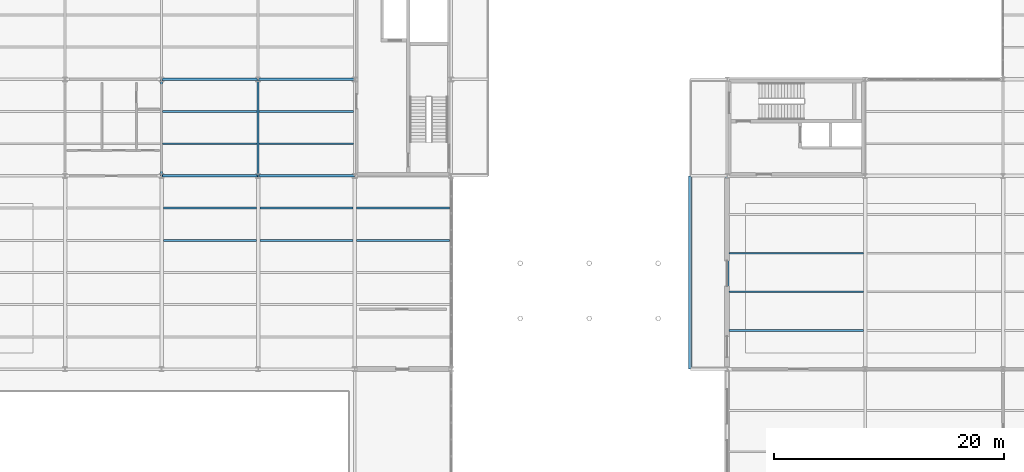
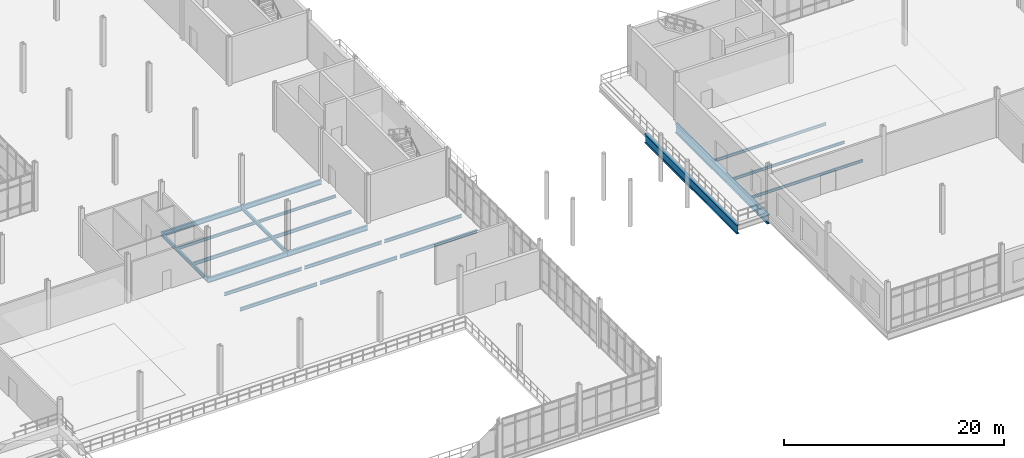
# One storey, part 42 of 111: 21 beams.
"""IFC4 building model written with IfcOpenShell, lengths in metres."""

from ifc_helpers import new_model, si_unit, direction, frame, origin, origin_2d, place, context, subcontext, project, spatial, i_section, extrude, material, material_profile, profile_set, type_object, element, save


model = new_model("IFC4")

# Units and contexts
model_context = context("Model", 3, precision=1e-05, world=origin(), true_north=direction((0.0, 1.0)))
body_context = subcontext(model_context, "Body", "Model", "MODEL_VIEW")
ifc_project = project(units=[si_unit("LENGTHUNIT", "METRE"), si_unit("AREAUNIT", "SQUARE_METRE"), si_unit("VOLUMEUNIT", "CUBIC_METRE"), si_unit("PLANEANGLEUNIT", "RADIAN"), si_unit("MASSUNIT", "GRAM", prefix="KILO"), si_unit("THERMODYNAMICTEMPERATUREUNIT", "KELVIN"), si_unit("POWERUNIT", "WATT")], contexts=[model_context])

# Site, building, storey
site_placement = place(None, origin())
site = spatial("IfcSite", under=ifc_project, at=site_placement, CompositionType="ELEMENT")
building_placement = place(site_placement, origin())
building = spatial("IfcBuilding", under=site, at=building_placement, Name="Tembeka Court Mobility Hub", CompositionType="ELEMENT")
storey_placement = place(building_placement, origin())
storey = spatial("IfcBuildingStorey", under=building, at=storey_placement, Name="L00", CompositionType="ELEMENT", Elevation=0.0)

# Beams
ifc_material = material(Name="Steel S355", Category="steel")
ifc_material_profile_1 = material_profile(ifc_material, i_section(OverallWidth=0.177978515625, OverallDepth=0.406005859375, WebThickness=0.0078125, FlangeThickness=0.0126953125, FilletRadius=0.01025390625, at=origin_2d()), Name="UKB 406x178x60")
ifc_profile_set_1 = profile_set([ifc_material_profile_1], Name="Steel S355")
beam_type_1 = type_object("IfcBeamType", Name="BM-B02", PredefinedType="BEAM", material=ifc_profile_set_1)
for number, where, z_axis, x_axis, name in (
    (1, (67.199951171875, 38.39990234375, -0.48291015625), (0.0, 1.0, 0.0), (-1.0, 0.0, 0.0), "Beam B02 (BM-L00-Y0234)"),
    (2, (75.60009765625, 38.39990234375, -0.48291015625), (0.0, 1.0, 0.0), (-1.0, 0.0, 0.0), "Beam B02 (BM-L00-Y0241)"),
):
    element("IfcBeam", number, at=place(storey_placement, frame(where, z_axis=z_axis, x_axis=x_axis)), inside=storey, type_object=beam_type_1, Name=name, PredefinedType="BEAM", context=body_context, shape_type="SweptSolid", body=[
        extrude(i_section(OverallWidth=0.177978515625, OverallDepth=0.406005859375, WebThickness=0.0078125, FlangeThickness=0.0126953125, FilletRadius=0.01025390625, at=origin_2d()), origin(), (0.0, 0.0, 1.0), 8.400146484375),
    ])
ifc_material_profile_2 = material_profile(ifc_material, i_section(OverallWidth=0.2099609375, OverallDepth=0.537109375, WebThickness=0.0107421875, FlangeThickness=0.017333984375, FilletRadius=0.0126953125, at=origin_2d()), Name="UKB 533x210x101")
ifc_profile_set_2 = profile_set([ifc_material_profile_2], Name="Steel S355")
beam_type_2 = type_object("IfcBeamType", Name="BM-G03", PredefinedType="USERDEFINED", material=ifc_profile_set_2)
beam_1_placement = place(storey_placement, frame((67.199951171875, 38.39990234375, -0.548583984375), z_axis=(1.0, 0.0, 0.0), x_axis=(0.0, 1.0, 0.0)))
element("IfcBeam", 3, at=beam_1_placement, inside=storey, type_object=beam_type_2, Name="Beam G03 (BM-L00-X0049)", ObjectType="GIRDER", PredefinedType="USERDEFINED", context=body_context, shape_type="SweptSolid", body=[
    extrude(i_section(OverallWidth=0.2099609375, OverallDepth=0.537109375, WebThickness=0.0107421875, FlangeThickness=0.017333984375, FilletRadius=0.0126953125, at=origin_2d()), origin(), (0.0, 0.0, 1.0), 8.400146484375),
])
beam_2_placement = place(storey_placement, frame((75.60009765625, 38.39990234375, -0.548583984375), z_axis=(1.0, 0.0, 0.0), x_axis=(0.0, 1.0, 0.0)))
element("IfcBeam", 4, at=beam_2_placement, inside=storey, type_object=beam_type_2, Name="Beam G03 (BM-L00-X0050)", ObjectType="GIRDER", PredefinedType="USERDEFINED", context=body_context, shape_type="SweptSolid", body=[
    extrude(i_section(OverallWidth=0.2099609375, OverallDepth=0.537109375, WebThickness=0.0107421875, FlangeThickness=0.017333984375, FilletRadius=0.0126953125, at=origin_2d()), origin(), (0.0, 0.0, 1.0), 8.39990234375),
])
beam_3_placement = place(storey_placement, frame((67.199951171875, 46.800048828125, -0.548583984375), z_axis=(1.0, 0.0, 0.0), x_axis=(0.0, 1.0, 0.0)))
element("IfcBeam", 5, at=beam_3_placement, inside=storey, type_object=beam_type_2, Name="Beam G03 (BM-L00-X0066)", ObjectType="GIRDER", PredefinedType="USERDEFINED", context=body_context, shape_type="SweptSolid", body=[
    extrude(i_section(OverallWidth=0.2099609375, OverallDepth=0.537109375, WebThickness=0.0107421875, FlangeThickness=0.017333984375, FilletRadius=0.0126953125, at=origin_2d()), origin(), (0.0, 0.0, 1.0), 8.400146484375),
])
beam_4_placement = place(storey_placement, frame((75.60009765625, 46.800048828125, -0.548583984375), z_axis=(1.0, 0.0, 0.0), x_axis=(0.0, 1.0, 0.0)))
element("IfcBeam", 6, at=beam_4_placement, inside=storey, type_object=beam_type_2, Name="Beam G03 (BM-L00-X0067)", ObjectType="GIRDER", PredefinedType="USERDEFINED", context=body_context, shape_type="SweptSolid", body=[
    extrude(i_section(OverallWidth=0.2099609375, OverallDepth=0.537109375, WebThickness=0.0107421875, FlangeThickness=0.017333984375, FilletRadius=0.0126953125, at=origin_2d()), origin(), (0.0, 0.0, 1.0), 8.39990234375),
])
ifc_material_profile_3 = material_profile(ifc_material, i_section(OverallWidth=0.172119140625, OverallDepth=0.35498046875, WebThickness=0.00732421875, FlangeThickness=0.011474609375, FilletRadius=0.01025390625, at=origin_2d()), Name="UKB 356x171x51")
ifc_profile_set_3 = profile_set([ifc_material_profile_3], Name="Steel S355")
beam_type_3 = type_object("IfcBeamType", Name="BM-J01", PredefinedType="JOIST", material=ifc_profile_set_3)
for number, where, z_axis, x_axis, name in (
    (7, (67.344970703125, 32.800048828125, -0.45751953125), (1.0, 0.0, 0.0), (0.0, 1.0, 0.0), "Beam J01 (JST-L00-0473)"),
    (8, (67.344970703125, 35.60009765625, -0.45751953125), (1.0, 0.0, 0.0), (0.0, 1.0, 0.0), "Beam J01 (JST-L00-0474)"),
):
    element("IfcBeam", number, at=place(storey_placement, frame(where, z_axis=z_axis, x_axis=x_axis)), inside=storey, type_object=beam_type_3, Name=name, PredefinedType="JOIST", context=body_context, shape_type="SweptSolid", body=[
        extrude(i_section(OverallWidth=0.172119140625, OverallDepth=0.35498046875, WebThickness=0.00732421875, FlangeThickness=0.011474609375, FilletRadius=0.01025390625, at=origin_2d()), origin(), (0.0, 0.0, 1.0), 8.110107421875),
    ])
for number, where, z_axis, x_axis, name in (
    (9, (75.7451171875, 32.800048828125, -0.45751953125), (1.0, 0.0, 0.0), (0.0, 1.0, 0.0), "Beam J01 (JST-L00-0493)"),
    (10, (75.7451171875, 35.60009765625, -0.45751953125), (1.0, 0.0, 0.0), (0.0, 1.0, 0.0), "Beam J01 (JST-L00-0494)"),
    (11, (84.14501953125, 32.800048828125, -0.45751953125), (1.0, 0.0, 0.0), (0.0, 1.0, 0.0), "Beam J01 (JST-L00-0513)"),
    (12, (84.14501953125, 35.60009765625, -0.45751953125), (1.0, 0.0, 0.0), (0.0, 1.0, 0.0), "Beam J01 (JST-L00-0514)"),
):
    element("IfcBeam", number, at=place(storey_placement, frame(where, z_axis=z_axis, x_axis=x_axis)), inside=storey, type_object=beam_type_3, Name=name, PredefinedType="JOIST", context=body_context, shape_type="SweptSolid", body=[
        extrude(i_section(OverallWidth=0.172119140625, OverallDepth=0.35498046875, WebThickness=0.00732421875, FlangeThickness=0.011474609375, FilletRadius=0.01025390625, at=origin_2d()), origin(), (0.0, 0.0, 1.0), 8.10986328125),
    ])
ifc_material_profile_4 = material_profile(ifc_material, i_section(OverallWidth=0.1650390625, OverallDepth=0.303955078125, WebThickness=0.006103515625, FlangeThickness=0.01025390625, FilletRadius=0.0087890625, at=origin_2d()), Name="UKB 305x165x40")
ifc_profile_set_4 = profile_set([ifc_material_profile_4], Name="Steel S355")
beam_type_4 = type_object("IfcBeamType", Name="BM-J02", PredefinedType="JOIST", material=ifc_profile_set_4)
beam_5_placement = place(storey_placement, frame((67.283935546875, 44.0, -0.431884765625), z_axis=(1.0, 0.0, 0.0), x_axis=(0.0, 1.0, 0.0)))
element("IfcBeam", 13, at=beam_5_placement, inside=storey, type_object=beam_type_4, Name="Beam J02 (JST-L00-0476)", PredefinedType="JOIST", context=body_context, shape_type="SweptSolid", body=[
    extrude(i_section(OverallWidth=0.1650390625, OverallDepth=0.303955078125, WebThickness=0.006103515625, FlangeThickness=0.01025390625, FilletRadius=0.0087890625, at=origin_2d()), origin(), (0.0, 0.0, 1.0), 8.232177734375),
])
beam_6_placement = place(storey_placement, frame((75.68408203125, 44.0, -0.431884765625), z_axis=(1.0, 0.0, 0.0), x_axis=(0.0, 1.0, 0.0)))
element("IfcBeam", 14, at=beam_6_placement, inside=storey, type_object=beam_type_4, Name="Beam J02 (JST-L00-0496)", PredefinedType="JOIST", context=body_context, shape_type="SweptSolid", body=[
    extrude(i_section(OverallWidth=0.1650390625, OverallDepth=0.303955078125, WebThickness=0.006103515625, FlangeThickness=0.01025390625, FilletRadius=0.0087890625, at=origin_2d()), origin(), (0.0, 0.0, 1.0), 8.23193359375),
])
ifc_material_profile_5 = material_profile(ifc_material, i_section(OverallWidth=0.169921875, OverallDepth=0.360107421875, WebThickness=0.008056640625, FlangeThickness=0.0126953125, FilletRadius=0.01806640625, at=origin_2d()), Name="IPE 360")
ifc_profile_set_5 = profile_set([ifc_material_profile_5], Name="Steel S355")
beam_type_5 = type_object("IfcBeamType", Name="BM-J03", PredefinedType="JOIST", material=ifc_profile_set_5)
beam_7_placement = place(storey_placement, frame((67.283935546875, 41.199951171875, -0.4599609375), z_axis=(1.0, 0.0, 0.0), x_axis=(0.0, 1.0, 0.0)))
element("IfcBeam", 15, at=beam_7_placement, inside=storey, type_object=beam_type_5, Name="Beam J03 (JST-L00-0475)", PredefinedType="JOIST", context=body_context, shape_type="SweptSolid", body=[
    extrude(i_section(OverallWidth=0.169921875, OverallDepth=0.360107421875, WebThickness=0.008056640625, FlangeThickness=0.0126953125, FilletRadius=0.01806640625, at=origin_2d()), origin(), (0.0, 0.0, 1.0), 8.232177734375),
])
beam_8_placement = place(storey_placement, frame((75.68408203125, 41.199951171875, -0.4599609375), z_axis=(1.0, 0.0, 0.0), x_axis=(0.0, 1.0, 0.0)))
element("IfcBeam", 16, at=beam_8_placement, inside=storey, type_object=beam_type_5, Name="Beam J03 (JST-L00-0495)", PredefinedType="JOIST", context=body_context, shape_type="SweptSolid", body=[
    extrude(i_section(OverallWidth=0.169921875, OverallDepth=0.360107421875, WebThickness=0.008056640625, FlangeThickness=0.0126953125, FilletRadius=0.01806640625, at=origin_2d()), origin(), (0.0, 0.0, 1.0), 8.23193359375),
])
ifc_material_profile_6 = material_profile(ifc_material, i_section(OverallWidth=0.14990234375, OverallDepth=0.300048828125, WebThickness=0.007080078125, FlangeThickness=0.0107421875, FilletRadius=0.014892578125, at=origin_2d()), Name="IPE 300")
ifc_profile_set_6 = profile_set([ifc_material_profile_6], Name="Steel S355")
beam_type_6 = type_object("IfcBeamType", Name="BM-J04", PredefinedType="JOIST", material=ifc_profile_set_6)
for number, where, z_axis, x_axis, name in (
    (17, (116.544921875, 24.9599609375, -0.469970703125), (1.0, 0.0, 0.0), (0.0, 1.0, 0.0), "Beam J04 (JST-L00-0526)"),
    (18, (116.544921875, 28.320068359375, -0.469970703125), (1.0, 0.0, 0.0), (0.0, 1.0, 0.0), "Beam J04 (JST-L00-0527)"),
    (19, (116.544921875, 31.679931640625, -0.469970703125), (1.0, 0.0, 0.0), (0.0, 1.0, 0.0), "Beam J04 (JST-L00-0528)"),
):
    element("IfcBeam", number, at=place(storey_placement, frame(where, z_axis=z_axis, x_axis=x_axis)), inside=storey, type_object=beam_type_6, Name=name, PredefinedType="JOIST", context=body_context, shape_type="SweptSolid", body=[
        extrude(i_section(OverallWidth=0.14990234375, OverallDepth=0.300048828125, WebThickness=0.007080078125, FlangeThickness=0.0107421875, FilletRadius=0.014892578125, at=origin_2d()), origin(), (0.0, 0.0, 1.0), 11.7099609375),
    ])
ifc_material_profile_7 = material_profile(ifc_material, i_section(OverallWidth=0.300048828125, OverallDepth=1.0, WebThickness=0.01904296875, FlangeThickness=0.035888671875, FilletRadius=0.030029296875, at=origin_2d()), Name="HEB 1000")
ifc_profile_set_7 = profile_set([ifc_material_profile_7], Name="Steel S355")
beam_type_7 = type_object("IfcBeamType", Name="BM-TG01", PredefinedType="USERDEFINED", material=ifc_profile_set_7)
for number, where, z_axis, x_axis, name in (
    (20, (113.199951171875, 21.60009765625, -0.820068359375), (0.0, 1.0, 0.0), (-1.0, 0.0, 0.0), "Beam TG01 (BM-L00-Y0272)"),
    (21, (116.39990234375, 21.60009765625, -0.820068359375), (0.0, 1.0, 0.0), (-1.0, 0.0, 0.0), "Beam TG01 (BM-L00-Y0276)"),
):
    element("IfcBeam", number, at=place(storey_placement, frame(where, z_axis=z_axis, x_axis=x_axis)), inside=storey, type_object=beam_type_7, Name=name, ObjectType="GIRDER", PredefinedType="USERDEFINED", context=body_context, shape_type="SweptSolid", body=[
        extrude(i_section(OverallWidth=0.300048828125, OverallDepth=1.0, WebThickness=0.01904296875, FlangeThickness=0.035888671875, FilletRadius=0.030029296875, at=origin_2d()), origin(), (0.0, 0.0, 1.0), 16.7998046875),
    ])

save(model, "model.ifc")
